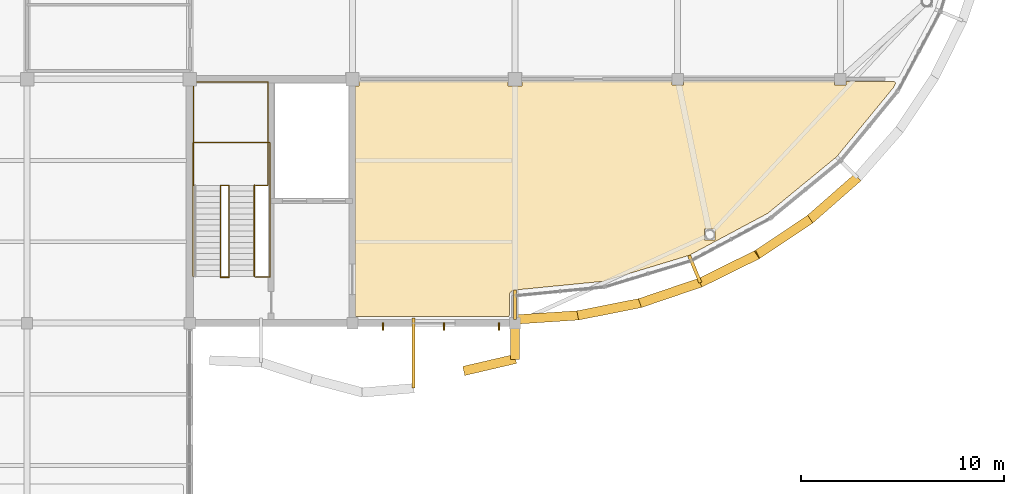
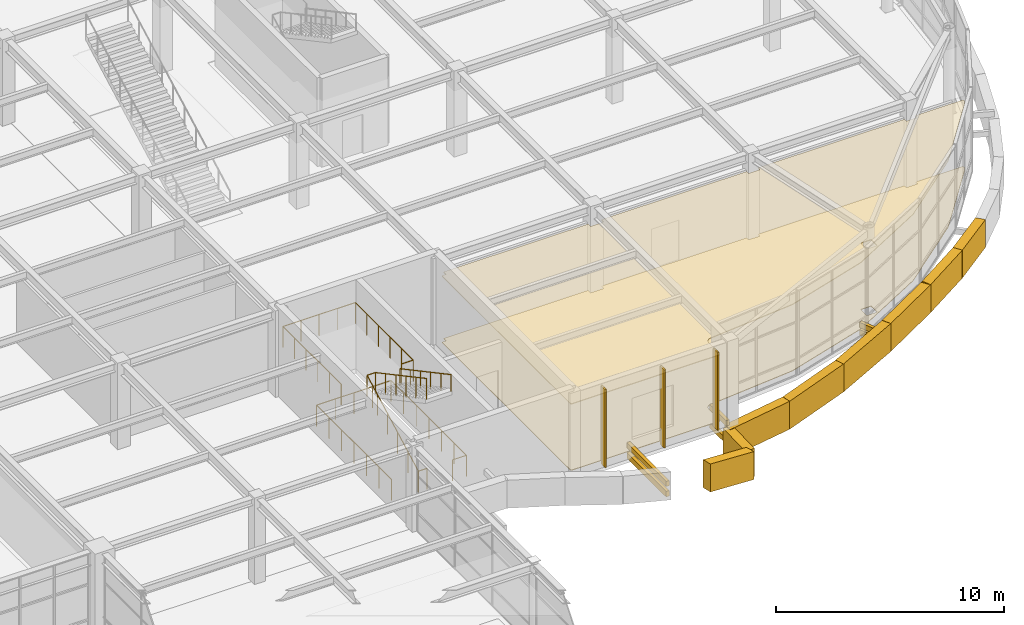
# One storey, part 67 of 72: 16 coverings, 5 railings, 3 shading devices.
"""IFC4 building model written with IfcOpenShell, lengths in metres."""

from ifc_helpers import new_model, si_unit, direction, frame, frame_2d, origin, origin_2d, place, context, subcontext, project, spatial, polyline, rectangle, circle, outline, extrude, material, layer, layer_set, type_object, element, save


model = new_model("IFC4")

# Units and contexts
model_context = context("Model", 3, precision=1e-05, world=origin(), true_north=direction((0.0, 1.0)))
body_context = subcontext(model_context, "Body", "Model", "MODEL_VIEW")
ifc_project = project(units=[si_unit("LENGTHUNIT", "METRE"), si_unit("AREAUNIT", "SQUARE_METRE"), si_unit("VOLUMEUNIT", "CUBIC_METRE"), si_unit("PLANEANGLEUNIT", "RADIAN"), si_unit("MASSUNIT", "GRAM", prefix="KILO")], contexts=[model_context])

# Site, building, storey
site_placement = place(None, origin())
site = spatial("IfcSite", under=ifc_project, at=site_placement, CompositionType="ELEMENT")
building_placement = place(site_placement, origin())
building = spatial("IfcBuilding", under=site, at=building_placement, Name="Keelwater Ferry Terminal", CompositionType="ELEMENT")
storey_placement = place(building_placement, frame((0.0, 0.0, 5.39990234375)))
storey = spatial("IfcBuildingStorey", under=building, at=storey_placement, Name="L01", CompositionType="ELEMENT", Elevation=5.39990234375)

# Coverings
ifc_material_1 = material(Name="Perforated acoustic gypsum board ceiling", Category="gypsum")
ifc_layer_1 = layer(ifc_material_1, 0.044921875)
ifc_layer_set_1 = layer_set([ifc_layer_1], Name="Perforated acoustic gypsum board ceiling")
covering_type_1 = type_object("IfcCoveringType", Name="CL-AC Acoustic Baffle Ceiling", PredefinedType="CEILING", material=ifc_layer_set_1)
covering_1_placement = place(storey_placement, frame((0.0, 0.0, 3.550048828125)))
element("IfcCovering", 1, at=covering_1_placement, inside=storey, type_object=covering_type_1, Name="Passenger Assistance Waiting Lounge Acoustic Ceiling", PredefinedType="CEILING", context=body_context, shape_type="SweptSolid", body=[
    extrude(outline(polyline([(163.6650390625, 53.87890625), (163.6650390625, 53.6650390625), (164.3349609375, 53.6650390625), (164.3349609375, 53.87890625), (164.3369140625, 53.8798828125), (164.344970703125, 53.8798828125), (171.705078125, 53.8798828125), (171.712890625, 53.8798828125), (171.715087890625, 53.87890625), (171.715087890625, 53.715087890625), (172.284912109375, 53.715087890625), (172.284912109375, 53.87890625), (172.287109375, 53.8798828125), (172.294921875, 53.8798828125), (179.705078125, 53.8798828125), (179.712890625, 53.8798828125), (179.715087890625, 53.87890625), (179.715087890625, 53.715087890625), (180.284912109375, 53.715087890625), (180.284912109375, 53.87890625), (180.287109375, 53.8798828125), (180.294921875, 53.8798828125), (182.6298828125, 53.8798828125), (182.637939453125, 53.8798828125), (182.64599609375, 53.8779296875), (182.653076171875, 53.876953125), (182.660888671875, 53.8740234375), (182.66796875, 53.87109375), (182.674072265625, 53.866943359375), (182.680908203125, 53.862060546875), (182.68701171875, 53.85693359375), (182.69189453125, 53.85107421875), (182.697021484375, 53.843994140625), (182.700927734375, 53.837890625), (182.7041015625, 53.8310546875), (182.70703125, 53.822998046875), (182.7080078125, 53.81591796875), (182.7099609375, 53.80810546875), (182.7099609375, 53.800048828125), (182.7099609375, 53.7919921875), (182.7080078125, 53.783935546875), (182.70703125, 53.777099609375), (182.7041015625, 53.76904296875), (182.700927734375, 53.761962890625), (182.60302734375, 53.5791015625), (182.597900390625, 53.572998046875), (182.593994140625, 53.56591796875), (179.822021484375, 50.18896484375), (179.81689453125, 50.18310546875), (179.81103515625, 50.177978515625), (176.43408203125, 47.406005859375), (176.427001953125, 47.40087890625), (176.4208984375, 47.39697265625), (173.998046875, 46.10205078125), (173.889892578125, 46.0439453125), (173.883056640625, 46.041015625), (173.875, 46.0380859375), (173.867919921875, 46.037109375), (173.861083984375, 46.035888671875), (173.85693359375, 46.030029296875), (173.85107421875, 46.02490234375), (173.843994140625, 46.02001953125), (173.841064453125, 46.01806640625), (172.56103515625, 45.333984375), (172.56103515625, 45.333984375), (172.55908203125, 45.333984375), (170.467041015625, 44.698974609375), (168.37109375, 44.06298828125), (168.364013671875, 44.06201171875), (168.35595703125, 44.06005859375), (166.347900390625, 43.862060546875), (163.972900390625, 43.62890625), (163.945068359375, 43.625), (163.9189453125, 43.617919921875), (163.89306640625, 43.60888671875), (163.867919921875, 43.596923828125), (163.843994140625, 43.5830078125), (163.822021484375, 43.56591796875), (163.802001953125, 43.548095703125), (163.783935546875, 43.528076171875), (163.76708984375, 43.506103515625), (163.7529296875, 43.48193359375), (163.740966796875, 43.45703125), (163.73193359375, 43.430908203125), (163.72509765625, 43.405029296875), (163.720947265625, 43.376953125), (163.719970703125, 43.35009765625), (163.719970703125, 43.345947265625), (163.719970703125, 42.39990234375), (163.719970703125, 42.39208984375), (163.718017578125, 42.384033203125), (163.717041015625, 42.376953125), (163.714111328125, 42.368896484375), (163.7109375, 42.362060546875), (163.70703125, 42.35595703125), (163.701904296875, 42.34912109375), (163.697021484375, 42.343017578125), (163.69091796875, 42.337890625), (163.68408203125, 42.3330078125), (163.677978515625, 42.3291015625), (163.6708984375, 42.325927734375), (163.6630859375, 42.322998046875), (163.656005859375, 42.322021484375), (163.64794921875, 42.320068359375), (163.639892578125, 42.320068359375), (156.199951171875, 42.320068359375), (156.19189453125, 42.320068359375), (156.18408203125, 42.322021484375), (156.177001953125, 42.322998046875), (156.1689453125, 42.325927734375), (156.162109375, 42.3291015625), (156.156005859375, 42.3330078125), (156.14892578125, 42.337890625), (156.14306640625, 42.343017578125), (156.137939453125, 42.34912109375), (156.133056640625, 42.35595703125), (156.12890625, 42.362060546875), (156.1259765625, 42.368896484375), (156.123046875, 42.376953125), (156.1220703125, 42.384033203125), (156.1201171875, 42.39208984375), (156.1201171875, 42.39990234375), (156.1201171875, 53.655029296875), (156.1201171875, 53.6630859375), (156.12109375, 53.6650390625), (156.3349609375, 53.6650390625), (156.3349609375, 53.87890625), (156.3369140625, 53.8798828125), (156.344970703125, 53.8798828125), (163.655029296875, 53.8798828125), (163.6630859375, 53.8798828125), (163.6650390625, 53.87890625)]), holes=[polyline([(173.31396484375, 46.625), (173.31396484375, 46.096923828125), (173.842041015625, 46.096923828125), (173.842041015625, 46.625), (173.31396484375, 46.625)])]), origin(), (0.0, 0.0, 1.0), 0.045166015625),
])
ifc_material_2 = material(Name="Polished mineral terrazzo tile", Category="stone")
ifc_layer_2 = layer(ifc_material_2, 0.030029296875)
ifc_layer_set_2 = layer_set([ifc_layer_2], Name="Polished mineral terrazzo tile")
covering_type_2 = type_object("IfcCoveringType", Name="FL-TZ Marine Terrazzo Flooring", PredefinedType="FLOORING", material=ifc_layer_set_2)
covering_2_placement = place(storey_placement, origin())
element("IfcCovering", 2, at=covering_2_placement, inside=storey, type_object=covering_type_2, Name="Passenger Assistance Waiting Lounge Terrazzo Floor", PredefinedType="FLOORING", context=body_context, shape_type="SweptSolid", body=[
    extrude(outline(polyline([(163.6650390625, 53.87890625), (163.6650390625, 53.6650390625), (164.3349609375, 53.6650390625), (164.3349609375, 53.87890625), (164.3369140625, 53.8798828125), (164.344970703125, 53.8798828125), (171.705078125, 53.8798828125), (171.712890625, 53.8798828125), (171.715087890625, 53.87890625), (171.715087890625, 53.715087890625), (172.284912109375, 53.715087890625), (172.284912109375, 53.87890625), (172.287109375, 53.8798828125), (172.294921875, 53.8798828125), (179.705078125, 53.8798828125), (179.712890625, 53.8798828125), (179.715087890625, 53.87890625), (179.715087890625, 53.715087890625), (180.284912109375, 53.715087890625), (180.284912109375, 53.87890625), (180.287109375, 53.8798828125), (180.294921875, 53.8798828125), (182.6298828125, 53.8798828125), (182.637939453125, 53.8798828125), (182.64599609375, 53.8779296875), (182.653076171875, 53.876953125), (182.660888671875, 53.8740234375), (182.66796875, 53.87109375), (182.674072265625, 53.866943359375), (182.680908203125, 53.862060546875), (182.68701171875, 53.85693359375), (182.69189453125, 53.85107421875), (182.697021484375, 53.843994140625), (182.700927734375, 53.837890625), (182.7041015625, 53.8310546875), (182.70703125, 53.822998046875), (182.7080078125, 53.81591796875), (182.7099609375, 53.80810546875), (182.7099609375, 53.800048828125), (182.7099609375, 53.7919921875), (182.7080078125, 53.783935546875), (182.70703125, 53.777099609375), (182.7041015625, 53.76904296875), (182.700927734375, 53.761962890625), (182.60302734375, 53.5791015625), (182.597900390625, 53.572998046875), (182.593994140625, 53.56591796875), (179.822021484375, 50.18896484375), (179.81689453125, 50.18310546875), (179.81103515625, 50.177978515625), (176.43408203125, 47.406005859375), (176.427001953125, 47.40087890625), (176.4208984375, 47.39697265625), (173.998046875, 46.10205078125), (173.889892578125, 46.0439453125), (173.883056640625, 46.041015625), (173.875, 46.0380859375), (173.867919921875, 46.037109375), (173.861083984375, 46.035888671875), (173.85693359375, 46.030029296875), (173.85107421875, 46.02490234375), (173.843994140625, 46.02001953125), (173.841064453125, 46.01806640625), (172.56103515625, 45.333984375), (172.56103515625, 45.333984375), (172.55908203125, 45.333984375), (170.467041015625, 44.698974609375), (168.37109375, 44.06298828125), (168.364013671875, 44.06201171875), (168.35595703125, 44.06005859375), (166.347900390625, 43.862060546875), (163.972900390625, 43.62890625), (163.945068359375, 43.625), (163.9189453125, 43.617919921875), (163.89306640625, 43.60888671875), (163.867919921875, 43.596923828125), (163.843994140625, 43.5830078125), (163.822021484375, 43.56591796875), (163.802001953125, 43.548095703125), (163.783935546875, 43.528076171875), (163.76708984375, 43.506103515625), (163.7529296875, 43.48193359375), (163.740966796875, 43.45703125), (163.73193359375, 43.430908203125), (163.72509765625, 43.405029296875), (163.720947265625, 43.376953125), (163.719970703125, 43.35009765625), (163.719970703125, 43.345947265625), (163.719970703125, 42.39990234375), (163.719970703125, 42.39208984375), (163.718017578125, 42.384033203125), (163.717041015625, 42.376953125), (163.714111328125, 42.368896484375), (163.7109375, 42.362060546875), (163.70703125, 42.35595703125), (163.701904296875, 42.34912109375), (163.697021484375, 42.343017578125), (163.69091796875, 42.337890625), (163.68408203125, 42.3330078125), (163.677978515625, 42.3291015625), (163.6708984375, 42.325927734375), (163.6630859375, 42.322998046875), (163.656005859375, 42.322021484375), (163.64794921875, 42.320068359375), (163.639892578125, 42.320068359375), (156.199951171875, 42.320068359375), (156.19189453125, 42.320068359375), (156.18408203125, 42.322021484375), (156.177001953125, 42.322998046875), (156.1689453125, 42.325927734375), (156.162109375, 42.3291015625), (156.156005859375, 42.3330078125), (156.14892578125, 42.337890625), (156.14306640625, 42.343017578125), (156.137939453125, 42.34912109375), (156.133056640625, 42.35595703125), (156.12890625, 42.362060546875), (156.1259765625, 42.368896484375), (156.123046875, 42.376953125), (156.1220703125, 42.384033203125), (156.1201171875, 42.39208984375), (156.1201171875, 42.39990234375), (156.1201171875, 53.655029296875), (156.1201171875, 53.6630859375), (156.12109375, 53.6650390625), (156.3349609375, 53.6650390625), (156.3349609375, 53.87890625), (156.3369140625, 53.8798828125), (156.344970703125, 53.8798828125), (163.655029296875, 53.8798828125), (163.6630859375, 53.8798828125), (163.6650390625, 53.87890625)]), holes=[polyline([(173.31396484375, 46.625), (173.31396484375, 46.096923828125), (173.842041015625, 46.096923828125), (173.842041015625, 46.625), (173.31396484375, 46.625)])]), origin(), (0.0, 0.0, 1.0), 0.030029296875),
])

# Shading devices
ifc_material_3 = material(Name="Anodised aluminium solar fin", Category="aluminium")
ifc_layer_3 = layer(ifc_material_3, 0.074951171875)
ifc_layer_set_3 = layer_set([ifc_layer_3], Name="Anodised aluminium solar fin")
shading_device_type = type_object("IfcShadingDeviceType", Name="FN-SOL Vertical Solar Shading Fin", PredefinedType="USERDEFINED", material=ifc_layer_set_3)
for number, where, z_axis, x_axis, name in (
    (3, (157.5, 41.830078125, 0.10009765625), (0.0, 0.0, 1.0), (1.0, 0.0, 0.0), "Anodised Solar Shading Fin 21"),
    (4, (160.5, 41.830078125, 0.10009765625), (0.0, 0.0, 1.0), (1.0, 0.0, 0.0), "Anodised Solar Shading Fin 23"),
    (5, (163.199951171875, 41.830078125, 0.10009765625), (0.0, 0.0, 1.0), (1.0, 0.0, 0.0), "Anodised Solar Shading Fin 25"),
):
    element("IfcShadingDevice", number, at=place(storey_placement, frame(where, z_axis=z_axis, x_axis=x_axis)), inside=storey, type_object=shading_device_type, Name=name, ObjectType="FIN", PredefinedType="USERDEFINED", context=body_context, shape_type="SweptSolid", body=[
        extrude(rectangle(XDim=0.074951171875, YDim=0.360107421875, at=origin_2d()), origin(), (0.0, 0.0, 1.0), 4.199951171875),
    ])

# Railings
ifc_material_4 = material(Name="Painted Steel S355", Category="steel")
railing_type_1 = type_object("IfcRailingType", Name="GR-115 Stair Well Guardrail", PredefinedType="GUARDRAIL", material=ifc_material_4)
railing_1_placement = place(storey_placement, frame((149.510009765625, 44.260009765625, 0.0)))
element("IfcRailing", 6, at=railing_1_placement, inside=storey, type_object=railing_type_1, Name="Stair ST-C4-L00 Slot Threshold Guard 74", PredefinedType="GUARDRAIL", context=body_context, shape_type="SweptSolid", body=[
    extrude(circle(Radius=0.02392578125, at=origin_2d()), frame((0.0, 0.0, 1.1259765625), z_axis=(1.0, 0.0, 0.0), x_axis=(0.0, 1.0, 0.0)), (0.0, 0.0, 1.0), 0.419921875),
    extrude(circle(Radius=0.02099609375, at=origin_2d()), origin(), (0.0, 0.0, 1.0), 1.101806640625),
    extrude(circle(Radius=0.02099609375, at=origin_2d()), frame((0.419921875, 0.0, 0.0)), (0.0, 0.0, 1.0), 1.101806640625),
])
railing_2_placement = place(storey_placement, frame((148.159912109375, 44.300048828125, 0.0)))
element("IfcRailing", 7, at=railing_2_placement, inside=storey, type_object=railing_type_1, Name="Stair ST-C4-L00 Shaft Perimeter Guard 75", PredefinedType="GUARDRAIL", context=body_context, shape_type="SweptSolid", body=[
    extrude(circle(Radius=0.02392578125, at=origin_2d()), frame((0.0, 0.0, 1.1259765625), z_axis=(0.0, 1.0, 0.0), x_axis=(-1.0, 0.0, 0.0)), (0.0, 0.0, 1.0), 6.579833984375),
    extrude(circle(Radius=0.02392578125, at=origin_2d()), frame((0.0, 6.579833984375, 1.1259765625), z_axis=(1.0, 0.0, 0.0), x_axis=(0.0, 1.0, 0.0)), (0.0, 0.0, 1.0), 3.780029296875),
    extrude(circle(Radius=0.02392578125, at=origin_2d()), frame((3.780029296875, 6.579833984375, 1.1259765625), z_axis=(0.0, -1.0, 0.0), x_axis=(1.0, 0.0, 0.0)), (0.0, 0.0, 1.0), 6.619873046875),
    extrude(circle(Radius=0.02392578125, at=origin_2d()), frame((3.780029296875, -0.0400390625, 1.1259765625), z_axis=(-1.0, 0.0, 0.0), x_axis=(0.0, -1.0, 0.0)), (0.0, 0.0, 1.0), 0.699951171875),
    extrude(circle(Radius=0.02099609375, at=origin_2d()), origin(), (0.0, 0.0, 1.0), 1.101806640625),
    extrude(circle(Radius=0.02099609375, at=origin_2d()), frame((0.0, 1.0966796875, 0.0)), (0.0, 0.0, 1.0), 1.101806640625),
    extrude(circle(Radius=0.02099609375, at=origin_2d()), frame((0.0, 2.193359375, 0.0)), (0.0, 0.0, 1.0), 1.101806640625),
    extrude(circle(Radius=0.02099609375, at=origin_2d()), frame((0.0, 3.2900390625, 0.0)), (0.0, 0.0, 1.0), 1.101806640625),
    extrude(circle(Radius=0.02099609375, at=origin_2d()), frame((0.0, 4.386474609375, 0.0)), (0.0, 0.0, 1.0), 1.101806640625),
    extrude(circle(Radius=0.02099609375, at=origin_2d()), frame((0.0, 5.483154296875, 0.0)), (0.0, 0.0, 1.0), 1.101806640625),
    extrude(circle(Radius=0.02099609375, at=origin_2d()), frame((0.0, 6.579833984375, 0.0)), (0.0, 0.0, 1.0), 1.101806640625),
    extrude(circle(Radius=0.02099609375, at=origin_2d()), frame((0.945068359375, 6.579833984375, 0.0)), (0.0, 0.0, 1.0), 1.101806640625),
    extrude(circle(Radius=0.02099609375, at=origin_2d()), frame((1.89013671875, 6.579833984375, 0.0)), (0.0, 0.0, 1.0), 1.101806640625),
    extrude(circle(Radius=0.02099609375, at=origin_2d()), frame((2.8349609375, 6.579833984375, 0.0)), (0.0, 0.0, 1.0), 1.101806640625),
    extrude(circle(Radius=0.02099609375, at=origin_2d()), frame((3.780029296875, 6.579833984375, 0.0)), (0.0, 0.0, 1.0), 1.101806640625),
    extrude(circle(Radius=0.02099609375, at=origin_2d()), frame((3.780029296875, 5.4765625, 0.0)), (0.0, 0.0, 1.0), 1.101806640625),
    extrude(circle(Radius=0.02099609375, at=origin_2d()), frame((3.780029296875, 4.373291015625, 0.0)), (0.0, 0.0, 1.0), 1.101806640625),
    extrude(circle(Radius=0.02099609375, at=origin_2d()), frame((3.780029296875, 3.27001953125, 0.0)), (0.0, 0.0, 1.0), 1.101806640625),
    extrude(circle(Radius=0.02099609375, at=origin_2d()), frame((3.780029296875, 2.16650390625, 0.0)), (0.0, 0.0, 1.0), 1.101806640625),
    extrude(circle(Radius=0.02099609375, at=origin_2d()), frame((3.780029296875, 1.063232421875, 0.0)), (0.0, 0.0, 1.0), 1.101806640625),
    extrude(circle(Radius=0.02099609375, at=origin_2d()), frame((3.780029296875, -0.0400390625, 0.0)), (0.0, 0.0, 1.0), 1.101806640625),
    extrude(circle(Radius=0.02099609375, at=origin_2d()), frame((3.080078125, -0.0400390625, 0.0)), (0.0, 0.0, 1.0), 1.101806640625),
])
railing_3_placement = place(storey_placement, frame((149.510009765625, 44.300048828125, 0.0)))
element("IfcRailing", 8, at=railing_3_placement, inside=storey, type_object=railing_type_1, Name="Stair ST-C4-L01 Inner Well Guard 76", PredefinedType="GUARDRAIL", context=body_context, shape_type="SweptSolid", body=[
    extrude(circle(Radius=0.02392578125, at=origin_2d()), frame((0.0, 0.0, 1.1259765625), z_axis=(0.0, 0.881467115574, 0.472245406714), x_axis=(-1.0, 0.0, 0.0)), (0.0, 0.0, 1.0), 5.08251953125),
    extrude(circle(Radius=0.02392578125, at=origin_2d()), frame((0.0, 4.47998046875, 3.52587890625), z_axis=(1.0, 0.0, 0.0), x_axis=(0.0, 1.0, 0.0)), (0.0, 0.0, 1.0), 0.419921875),
    extrude(circle(Radius=0.02392578125, at=origin_2d()), frame((0.419921875, 4.47998046875, 3.52587890625), z_axis=(0.0, -0.881487111273, 0.472208081951), x_axis=(1.0, 0.0, 0.0)), (0.0, 0.0, 1.0), 5.082275390625),
    extrude(circle(Radius=0.02099609375, at=origin_2d()), origin(), (0.0, 0.0, 1.0), 1.101806640625),
    extrude(circle(Radius=0.02099609375, at=origin_2d()), frame((0.0, 0.89599609375, 0.47998046875)), (0.0, 0.0, 1.0), 1.101806640625),
    extrude(circle(Radius=0.02099609375, at=origin_2d()), frame((0.0, 1.7919921875, 0.9599609375)), (0.0, 0.0, 1.0), 1.101806640625),
    extrude(circle(Radius=0.02099609375, at=origin_2d()), frame((0.0, 2.68798828125, 1.440185546875)), (0.0, 0.0, 1.0), 1.101806640625),
    extrude(circle(Radius=0.02099609375, at=origin_2d()), frame((0.0, 3.583984375, 1.920166015625)), (0.0, 0.0, 1.0), 1.101806640625),
    extrude(circle(Radius=0.02099609375, at=origin_2d()), frame((0.0, 4.47998046875, 2.400146484375)), (0.0, 0.0, 1.0), 1.101806640625),
    extrude(circle(Radius=0.02099609375, at=origin_2d()), frame((0.419921875, 4.47998046875, 2.400146484375)), (0.0, 0.0, 1.0), 1.101806640625),
    extrude(circle(Radius=0.02099609375, at=origin_2d()), frame((0.419921875, 3.583984375, 2.880126953125)), (0.0, 0.0, 1.0), 1.101806640625),
    extrude(circle(Radius=0.02099609375, at=origin_2d()), frame((0.419921875, 2.68798828125, 3.360107421875)), (0.0, 0.0, 1.0), 1.101806640625),
    extrude(circle(Radius=0.02099609375, at=origin_2d()), frame((0.419921875, 1.7919921875, 3.840087890625)), (0.0, 0.0, 1.0), 1.101806640625),
    extrude(circle(Radius=0.02099609375, at=origin_2d()), frame((0.419921875, 0.89599609375, 4.320068359375)), (0.0, 0.0, 1.0), 1.101806640625),
    extrude(circle(Radius=0.02099609375, at=origin_2d()), frame((0.419921875, 0.0, 4.800048828125)), (0.0, 0.0, 1.0), 1.101806640625),
])
railing_4_placement = place(storey_placement, frame((148.199951171875, 48.780029296875, 2.400146484375)))
element("IfcRailing", 9, at=railing_4_placement, inside=storey, type_object=railing_type_1, Name="Stair ST-C4-L01 Half-Landing Guard 77", PredefinedType="GUARDRAIL", context=body_context, shape_type="SweptSolid", body=[
    extrude(circle(Radius=0.02392578125, at=origin_2d()), frame((0.0, 0.0, 1.1259765625), z_axis=(-1.0, 0.0, 0.0), x_axis=(0.0, -1.0, 0.0)), (0.0, 0.0, 1.0), 0.02001953125),
    extrude(circle(Radius=0.02392578125, at=origin_2d()), frame((-0.02001953125, 0.0, 1.1259765625), z_axis=(0.0, 1.0, 0.0), x_axis=(-1.0, 0.0, 0.0)), (0.0, 0.0, 1.0), 5.090087890625),
    extrude(circle(Radius=0.02392578125, at=origin_2d()), frame((-0.02001953125, 5.090087890625, 1.1259765625), z_axis=(1.0, 0.0, 0.0), x_axis=(0.0, 1.0, 0.0)), (0.0, 0.0, 1.0), 3.670166015625),
    extrude(circle(Radius=0.02392578125, at=origin_2d()), frame((3.650146484375, 5.090087890625, 1.1259765625), z_axis=(0.0, -1.0, 0.0), x_axis=(1.0, 0.0, 0.0)), (0.0, 0.0, 1.0), 5.090087890625),
    extrude(circle(Radius=0.02392578125, at=origin_2d()), frame((3.650146484375, 0.0, 1.1259765625), z_axis=(-1.0, 0.0, 0.0), x_axis=(0.0, -1.0, 0.0)), (0.0, 0.0, 1.0), 0.610107421875),
    extrude(circle(Radius=0.02099609375, at=origin_2d()), origin(), (0.0, 0.0, 1.0), 1.101806640625),
    extrude(circle(Radius=0.02099609375, at=origin_2d()), frame((-0.02001953125, 0.0, 0.0)), (0.0, 0.0, 1.0), 1.101806640625),
    extrude(circle(Radius=0.02099609375, at=origin_2d()), frame((-0.02001953125, 1.01806640625, 0.0)), (0.0, 0.0, 1.0), 1.101806640625),
    extrude(circle(Radius=0.02099609375, at=origin_2d()), frame((-0.02001953125, 2.0361328125, 0.0)), (0.0, 0.0, 1.0), 1.101806640625),
    extrude(circle(Radius=0.02099609375, at=origin_2d()), frame((-0.02001953125, 3.053955078125, 0.0)), (0.0, 0.0, 1.0), 1.101806640625),
    extrude(circle(Radius=0.02099609375, at=origin_2d()), frame((-0.02001953125, 4.072021484375, 0.0)), (0.0, 0.0, 1.0), 1.101806640625),
    extrude(circle(Radius=0.02099609375, at=origin_2d()), frame((-0.02001953125, 5.090087890625, 0.0)), (0.0, 0.0, 1.0), 1.101806640625),
    extrude(circle(Radius=0.02099609375, at=origin_2d()), frame((0.8974609375, 5.090087890625, 0.0)), (0.0, 0.0, 1.0), 1.101806640625),
    extrude(circle(Radius=0.02099609375, at=origin_2d()), frame((1.81494140625, 5.090087890625, 0.0)), (0.0, 0.0, 1.0), 1.101806640625),
    extrude(circle(Radius=0.02099609375, at=origin_2d()), frame((2.732666015625, 5.090087890625, 0.0)), (0.0, 0.0, 1.0), 1.101806640625),
    extrude(circle(Radius=0.02099609375, at=origin_2d()), frame((3.650146484375, 5.090087890625, 0.0)), (0.0, 0.0, 1.0), 1.101806640625),
    extrude(circle(Radius=0.02099609375, at=origin_2d()), frame((3.650146484375, 4.072021484375, 0.0)), (0.0, 0.0, 1.0), 1.101806640625),
    extrude(circle(Radius=0.02099609375, at=origin_2d()), frame((3.650146484375, 3.053955078125, 0.0)), (0.0, 0.0, 1.0), 1.101806640625),
    extrude(circle(Radius=0.02099609375, at=origin_2d()), frame((3.650146484375, 2.0361328125, 0.0)), (0.0, 0.0, 1.0), 1.101806640625),
    extrude(circle(Radius=0.02099609375, at=origin_2d()), frame((3.650146484375, 1.01806640625, 0.0)), (0.0, 0.0, 1.0), 1.101806640625),
    extrude(circle(Radius=0.02099609375, at=origin_2d()), frame((3.650146484375, 0.0, 0.0)), (0.0, 0.0, 1.0), 1.101806640625),
    extrude(circle(Radius=0.02099609375, at=origin_2d()), frame((3.0400390625, 0.0, 0.0)), (0.0, 0.0, 1.0), 1.101806640625),
])
ifc_material_5 = material(Name="Brushed stainless steel handrail", Category="steel")
railing_type_2 = type_object("IfcRailingType", Name="HR-920 Stair Pitch Handrail", PredefinedType="HANDRAIL", material=ifc_material_5)
railing_5_placement = place(storey_placement, frame((151.179931640625, 48.780029296875, 2.400146484375)))
element("IfcRailing", 10, at=railing_5_placement, inside=storey, type_object=railing_type_2, Name="Stair ST-C4-L01 Flight 2 Handrail 79", PredefinedType="HANDRAIL", context=body_context, shape_type="SweptSolid", body=[
    extrude(circle(Radius=0.02392578125, at=origin_2d()), frame((0.0, 0.0, 0.89599609375), z_axis=(0.0, -0.881487111273, 0.472208081951), x_axis=(1.0, 0.0, 0.0)), (0.0, 0.0, 1.0), 5.082275390625),
    extrude(circle(Radius=0.02099609375, at=origin_2d()), origin(), (0.0, 0.0, 1.0), 0.871826171875),
    extrude(circle(Radius=0.02099609375, at=origin_2d()), frame((0.0, -0.89599609375, 0.47998046875)), (0.0, 0.0, 1.0), 0.871826171875),
    extrude(circle(Radius=0.02099609375, at=origin_2d()), frame((0.0, -1.7919921875, 0.9599609375)), (0.0, 0.0, 1.0), 0.871826171875),
    extrude(circle(Radius=0.02099609375, at=origin_2d()), frame((0.0, -2.68798828125, 1.43994140625)), (0.0, 0.0, 1.0), 0.871826171875),
    extrude(circle(Radius=0.02099609375, at=origin_2d()), frame((0.0, -3.583984375, 1.919921875)), (0.0, 0.0, 1.0), 0.871826171875),
    extrude(circle(Radius=0.02099609375, at=origin_2d()), frame((0.0, -4.47998046875, 2.39990234375)), (0.0, 0.0, 1.0), 0.871826171875),
])

# Coverings
ifc_material_6 = material(Name="Matte white architectural aluminium fascia ribbon", Category="aluminium")
ifc_layer_4 = layer(ifc_material_6, 0.1201171875)
ifc_layer_set_4 = layer_set([ifc_layer_4], Name="Matte white architectural aluminium fascia ribbon")
covering_type_3 = type_object("IfcCoveringType", Name="RB-WHT Matte White Fascia Ribbon", PredefinedType="CLADDING", material=ifc_layer_set_4)
covering_3_placement = place(storey_placement, frame((159.0, 38.799072265625, 0.30517578125), z_axis=(0.0, 0.0, 1.0), x_axis=(0.0, 1.0, 0.0)))
element("IfcCovering", 11, at=covering_3_placement, inside=storey, type_object=covering_type_3, Name="Ribbon Horizontal Tie Bracket 604", PredefinedType="CLADDING", context=body_context, shape_type="SweptSolid", body=[
    extrude(rectangle(XDim=3.450927734375, YDim=0.159912109375, at=frame_2d((1.7255859375, 0.0))), origin(), (0.0, 0.0, 1.0), 0.280029296875),
])
covering_4_placement = place(storey_placement, frame((159.0, 38.799072265625, -0.25), z_axis=(0.0, 0.0, 1.0), x_axis=(0.0, 1.0, 0.0)))
element("IfcCovering", 12, at=covering_4_placement, inside=storey, type_object=covering_type_3, Name="Ribbon Slab Tie Bracket 605", PredefinedType="CLADDING", context=body_context, shape_type="SweptSolid", body=[
    extrude(rectangle(XDim=3.450927734375, YDim=0.159912109375, at=frame_2d((1.7255859375, 0.0))), origin(), (0.0, 0.0, 1.0), 0.300048828125),
])
covering_5_placement = place(storey_placement, frame((161.47607421875, 39.64990234375, -1.85400390625), z_axis=(0.0, 0.0, 1.0), x_axis=(0.973966350755, 0.226692628017, 0.0)))
element("IfcCovering", 13, at=covering_5_placement, inside=storey, type_object=covering_type_3, Name="Concourse Lower Wave Fascia Ribbon 610", PredefinedType="CLADDING", context=body_context, shape_type="SweptSolid", body=[
    extrude(outline(polyline([(0.0, 0.583984375), (2.615966796875, 0.0), (2.615966796875, 1.5), (0.0, 2.083984375), (0.0, 0.583984375)])), frame((0.0, 0.22998046875, 0.0), z_axis=(0.0, -1.0, 0.0), x_axis=(1.0, 0.0, 0.0)), (0.0, 0.0, 1.0), 0.4599609375),
])
covering_6_placement = place(storey_placement, frame((164.0, 40.2119140625, -1.85400390625), z_axis=(0.0, 0.0, 1.0), x_axis=(0.0, 1.0, 0.0)))
element("IfcCovering", 14, at=covering_6_placement, inside=storey, type_object=covering_type_3, Name="Concourse Lower Wave Fascia Ribbon 614", PredefinedType="CLADDING", context=body_context, shape_type="SweptSolid", body=[
    extrude(outline(polyline([(0.0, 0.0), (1.9931640625, 0.03515625), (1.9931640625, 1.53515625), (0.0, 1.5), (0.0, 0.0)])), frame((0.0, 0.22998046875, 0.0), z_axis=(0.0, -1.0, 0.0), x_axis=(1.0, 0.0, 0.0)), (0.0, 0.0, 1.0), 0.4599609375),
])
covering_7_placement = place(storey_placement, frame((163.97509765625, 42.177978515625, -1.81884765625), z_axis=(0.0, 0.0, 1.0), x_axis=(0.997839082041, 0.065705147067, 0.0)))
element("IfcCovering", 15, at=covering_7_placement, inside=storey, type_object=covering_type_3, Name="Concourse Lower Wave Fascia Ribbon 618", PredefinedType="CLADDING", context=body_context, shape_type="SweptSolid", body=[
    extrude(outline(polyline([(0.0, 0.0), (3.165771484375, 0.302001953125), (3.165771484375, 1.802001953125), (0.0, 1.5), (0.0, 0.0)])), frame((0.0, 0.22998046875, 0.0), z_axis=(0.0, -1.0, 0.0), x_axis=(1.0, 0.0, 0.0)), (0.0, 0.0, 1.0), 0.4599609375),
])
covering_8_placement = place(storey_placement, frame((164.0, 42.179931640625, -1.208984375), z_axis=(0.0, 0.0, 1.0), x_axis=(0.0, 1.0, 0.0)))
element("IfcCovering", 16, at=covering_8_placement, inside=storey, type_object=covering_type_3, Name="Ribbon Horizontal Tie Bracket 622", PredefinedType="CLADDING", context=body_context, shape_type="SweptSolid", body=[
    extrude(rectangle(XDim=1.449951171875, YDim=0.159912109375, at=frame_2d((0.72509765625, 0.0))), origin(), (0.0, 0.0, 1.0), 0.280029296875),
])
covering_9_placement = place(storey_placement, frame((164.0, 42.179931640625, -0.25), z_axis=(0.0, 0.0, 1.0), x_axis=(0.0, 1.0, 0.0)))
element("IfcCovering", 17, at=covering_9_placement, inside=storey, type_object=covering_type_3, Name="Ribbon Slab Tie Bracket 625", PredefinedType="CLADDING", context=body_context, shape_type="SweptSolid", body=[
    extrude(rectangle(XDim=1.449951171875, YDim=0.159912109375, at=frame_2d((0.72509765625, 0.0))), origin(), (0.0, 0.0, 1.0), 0.300048828125),
])
covering_10_placement = place(storey_placement, frame((167.083984375, 42.37890625, -1.516845703125), z_axis=(0.0, 0.0, 1.0), x_axis=(0.98076407959, 0.195196875454, 0.0)))
element("IfcCovering", 18, at=covering_10_placement, inside=storey, type_object=covering_type_3, Name="Concourse Lower Wave Fascia Ribbon 630", PredefinedType="CLADDING", context=body_context, shape_type="SweptSolid", body=[
    extrude(outline(polyline([(0.0, 0.0), (3.1669921875, 0.551025390625), (3.1669921875, 2.051025390625), (0.0, 1.5), (0.0, 0.0)])), frame((0.0, 0.22998046875, 0.0), z_axis=(0.0, -1.0, 0.0), x_axis=(1.0, 0.0, 0.0)), (0.0, 0.0, 1.0), 0.4599609375),
])
covering_11_placement = place(storey_placement, frame((170.14111328125, 42.98388671875, -0.9658203125), z_axis=(0.0, 0.0, 1.0), x_axis=(0.94701262585, 0.321196336342, 0.0)))
element("IfcCovering", 19, at=covering_11_placement, inside=storey, type_object=covering_type_3, Name="Concourse Lower Wave Fascia Ribbon 634", PredefinedType="CLADDING", context=body_context, shape_type="SweptSolid", body=[
    extrude(outline(polyline([(0.0, 0.0), (3.16650390625, 0.512939453125), (3.16650390625, 2.012939453125), (0.0, 1.5), (0.0, 0.0)])), frame((0.0, 0.22998046875, 0.0), z_axis=(0.0, -1.0, 0.0), x_axis=(1.0, 0.0, 0.0)), (0.0, 0.0, 1.0), 0.4599609375),
])
covering_12_placement = place(storey_placement, frame((173.093994140625, 43.98193359375, -0.452880859375), z_axis=(0.0, 0.0, 1.0), x_axis=(0.896790782987, 0.442454846905, 0.0)))
element("IfcCovering", 20, at=covering_12_placement, inside=storey, type_object=covering_type_3, Name="Concourse Lower Wave Fascia Ribbon 638", PredefinedType="CLADDING", context=body_context, shape_type="SweptSolid", body=[
    extrude(outline(polyline([(0.0, 0.0), (3.16455078125, 0.248046875), (3.16455078125, 1.748046875), (0.0, 1.5), (0.0, 0.0)])), frame((0.0, 0.22998046875, 0.0), z_axis=(0.0, -1.0, 0.0), x_axis=(1.0, 0.0, 0.0)), (0.0, 0.0, 1.0), 0.4599609375),
])
covering_13_placement = place(storey_placement, frame((173.115966796875, 43.992919921875, 0.156982421875), z_axis=(0.0, 0.0, 1.0), x_axis=(-0.382594606681, 0.923916320312, 0.0)))
element("IfcCovering", 21, at=covering_13_placement, inside=storey, type_object=covering_type_3, Name="Ribbon Horizontal Tie Bracket 642", PredefinedType="CLADDING", context=body_context, shape_type="SweptSolid", body=[
    extrude(rectangle(XDim=1.450439453125, YDim=0.159912109375, at=frame_2d((0.72509765625, 0.0))), origin(), (0.0, 0.0, 1.0), 0.280029296875),
])
covering_14_placement = place(storey_placement, frame((173.115966796875, 43.992919921875, -0.25), z_axis=(0.0, 0.0, 1.0), x_axis=(-0.382594606681, 0.923916320312, 0.0)))
element("IfcCovering", 22, at=covering_14_placement, inside=storey, type_object=covering_type_3, Name="Ribbon Slab Tie Bracket 645", PredefinedType="CLADDING", context=body_context, shape_type="SweptSolid", body=[
    extrude(rectangle(XDim=1.450439453125, YDim=0.159912109375, at=frame_2d((0.72509765625, 0.0))), origin(), (0.0, 0.0, 1.0), 0.300048828125),
])
covering_15_placement = place(storey_placement, frame((175.888916015625, 45.35693359375, -0.3330078125), z_axis=(0.0, 0.0, 1.0), x_axis=(0.831516144614, 0.55550058618, 0.0)))
element("IfcCovering", 23, at=covering_15_placement, inside=storey, type_object=covering_type_3, Name="Concourse Lower Wave Fascia Ribbon 650", PredefinedType="CLADDING", context=body_context, shape_type="SweptSolid", body=[
    extrude(outline(polyline([(0.0, 0.128173828125), (3.16650390625, 0.0), (3.16650390625, 1.5), (0.0, 1.628173828125), (0.0, 0.128173828125)])), frame((0.0, 0.22998046875, 0.0), z_axis=(0.0, -1.0, 0.0), x_axis=(1.0, 0.0, 0.0)), (0.0, 0.0, 1.0), 0.4599609375),
])
covering_16_placement = place(storey_placement, frame((178.48193359375, 47.0859375, -0.77978515625), z_axis=(0.0, 0.0, 1.0), x_axis=(0.75186441018, 0.65931776004, 0.0)))
element("IfcCovering", 24, at=covering_16_placement, inside=storey, type_object=covering_type_3, Name="Concourse Lower Wave Fascia Ribbon 654", PredefinedType="CLADDING", context=body_context, shape_type="SweptSolid", body=[
    extrude(outline(polyline([(0.0, 0.44677734375), (3.16552734375, 0.0), (3.16552734375, 1.5), (0.0, 1.94677734375), (0.0, 0.44677734375)])), frame((0.0, 0.22998046875, 0.0), z_axis=(0.0, -1.0, 0.0), x_axis=(1.0, 0.0, 0.0)), (0.0, 0.0, 1.0), 0.4599609375),
])

save(model, "model.ifc")
